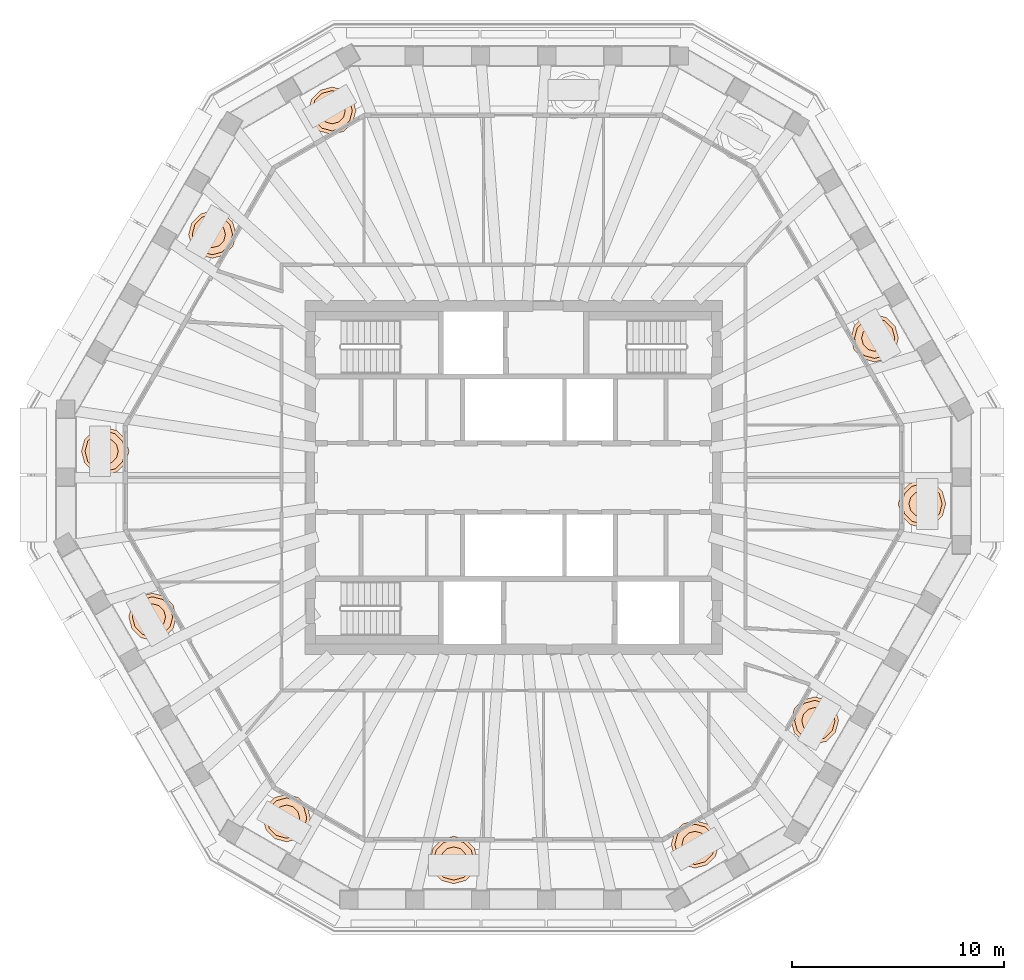
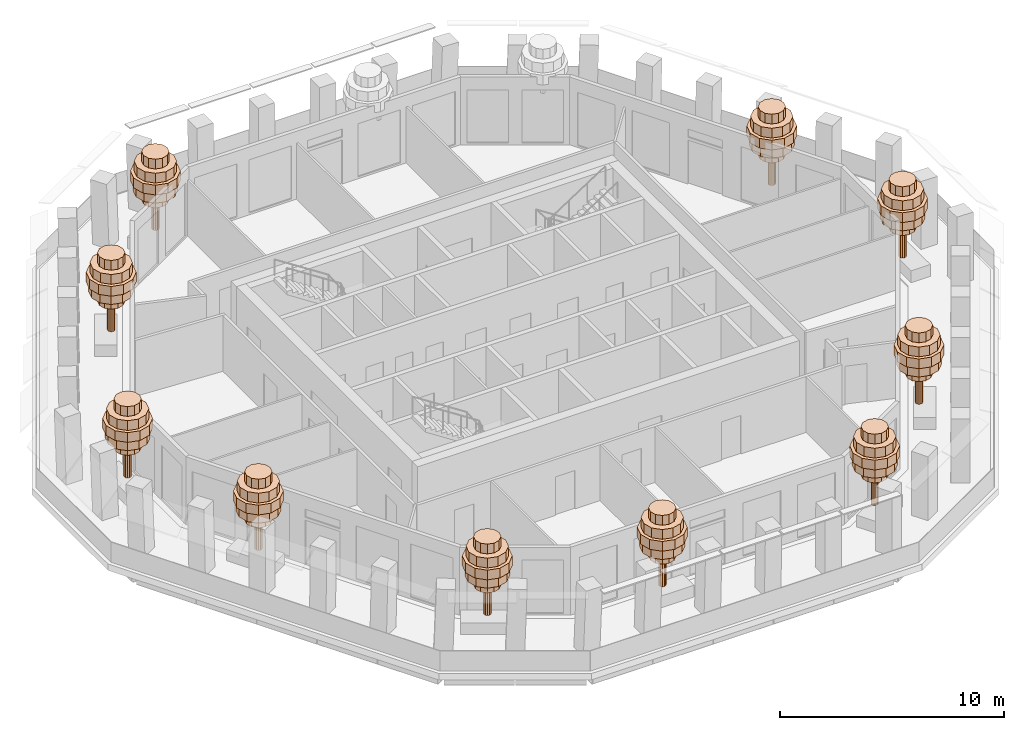
# One storey, part 12 of 13: 10 geographic elements.
"""IFC4 building model written with IfcOpenShell, lengths in metres."""

from ifc_helpers import new_model, si_unit, direction, frame, origin, place, context, subcontext, project, spatial, polyline, outline, extrude, material, type_object, element, save


model = new_model("IFC4")

# Units and contexts
model_context = context("Model", 3, precision=1e-05, world=origin(), true_north=direction((0.0, 1.0)))
body_context = subcontext(model_context, "Body", "Model", "MODEL_VIEW")
ifc_project = project(units=[si_unit("LENGTHUNIT", "METRE"), si_unit("AREAUNIT", "SQUARE_METRE"), si_unit("VOLUMEUNIT", "CUBIC_METRE"), si_unit("PLANEANGLEUNIT", "RADIAN"), si_unit("MASSUNIT", "GRAM", prefix="KILO")], contexts=[model_context])

# Site, building, storey
site_placement = place(None, origin())
site = spatial("IfcSite", under=ifc_project, at=site_placement, CompositionType="ELEMENT")
building_placement = place(site_placement, origin())
building = spatial("IfcBuilding", under=site, at=building_placement, Name="Frailejon Research Tower", CompositionType="ELEMENT")
storey_placement = place(building_placement, frame((0.0, 0.0, 308.60009765625)))
storey = spatial("IfcBuildingStorey", under=building, at=storey_placement, Name="L68", CompositionType="ELEMENT", Elevation=308.60009765625)

# Geographic elements
ifc_material = material(Name="Foliage, green")
geographic_element_type = type_object("IfcGeographicElementType", Name="Frailejon tree, terrace", PredefinedType="USERDEFINED", material=ifc_material)
geographic_element_1_placement = place(storey_placement, frame((19.277587890625, -1.2412109375, 0.699951171875)))
element("IfcGeographicElement", 1, at=geographic_element_1_placement, inside=storey, type_object=geographic_element_type, Name="Tree L68", ObjectType="TREE", PredefinedType="USERDEFINED", context=body_context, shape_type="SweptSolid", body=[
    extrude(outline(polyline([(0.177978515625, 0.0), (0.154052734375, 0.089111328125), (0.089111328125, 0.154052734375), (0.0, 0.177978515625), (-0.089111328125, 0.154052734375), (-0.154052734375, 0.089111328125), (-0.177978515625, 0.0), (-0.154052734375, -0.089111328125), (-0.089111328125, -0.154052734375), (0.0, -0.177978515625), (0.089111328125, -0.154052734375), (0.154052734375, -0.089111328125), (0.177978515625, 0.0)])), origin(), (0.0, 0.0, 1.0), 3.135986328125),
    extrude(outline(polyline([(0.615966796875, 0.0), (0.533447265625, 0.30810546875), (0.30810546875, 0.533447265625), (0.0, 0.615966796875), (-0.30810546875, 0.533447265625), (-0.533447265625, 0.30810546875), (-0.615966796875, 0.0), (-0.533447265625, -0.30810546875), (-0.30810546875, -0.533447265625), (0.0, -0.615966796875), (0.30810546875, -0.533447265625), (0.533447265625, -0.30810546875), (0.615966796875, 0.0)])), frame((0.0, 0.0, 1.5400390625)), (0.0, 0.0, 1.0), 0.531982421875),
    extrude(outline(polyline([(1.008056640625, 0.0), (0.873046875, 0.50390625), (0.50390625, 0.873046875), (0.0, 1.008056640625), (-0.50390625, 0.873046875), (-0.873046875, 0.50390625), (-1.008056640625, 0.0), (-0.873046875, -0.50390625), (-0.50390625, -0.873046875), (0.0, -1.008056640625), (0.50390625, -0.873046875), (0.873046875, -0.50390625), (1.008056640625, 0.0)])), frame((0.0, 0.0, 2.072021484375)), (0.0, 0.0, 1.0), 0.531982421875),
    extrude(outline(polyline([(1.1201171875, 0.0), (0.969970703125, 0.56005859375), (0.56005859375, 0.969970703125), (0.0, 1.1201171875), (-0.56005859375, 0.969970703125), (-0.969970703125, 0.56005859375), (-1.1201171875, 0.0), (-0.969970703125, -0.56005859375), (-0.56005859375, -0.969970703125), (0.0, -1.1201171875), (0.56005859375, -0.969970703125), (0.969970703125, -0.56005859375), (1.1201171875, 0.0)])), frame((0.0, 0.0, 2.60400390625)), (0.0, 0.0, 1.0), 0.531982421875),
    extrude(outline(polyline([(0.951904296875, 0.0), (0.824462890625, 0.47607421875), (0.47607421875, 0.824462890625), (0.0, 0.951904296875), (-0.47607421875, 0.824462890625), (-0.824462890625, 0.47607421875), (-0.951904296875, 0.0), (-0.824462890625, -0.47607421875), (-0.47607421875, -0.824462890625), (0.0, -0.951904296875), (0.47607421875, -0.824462890625), (0.824462890625, -0.47607421875), (0.951904296875, 0.0)])), frame((0.0, 0.0, 3.135986328125)), (0.0, 0.0, 1.0), 0.531982421875),
    extrude(outline(polyline([(0.615966796875, 0.0), (0.533447265625, 0.30810546875), (0.30810546875, 0.533447265625), (0.0, 0.615966796875), (-0.30810546875, 0.533447265625), (-0.533447265625, 0.30810546875), (-0.615966796875, 0.0), (-0.533447265625, -0.30810546875), (-0.30810546875, -0.533447265625), (0.0, -0.615966796875), (0.30810546875, -0.533447265625), (0.533447265625, -0.30810546875), (0.615966796875, 0.0)])), frame((0.0, 0.0, 3.66796875)), (0.0, 0.0, 1.0), 0.531982421875),
])
geographic_element_2_placement = place(storey_placement, frame((17.04443359375, 6.577880859375, 0.699951171875)))
element("IfcGeographicElement", 2, at=geographic_element_2_placement, inside=storey, type_object=geographic_element_type, Name="Tree L68", ObjectType="TREE", PredefinedType="USERDEFINED", context=body_context, shape_type="SweptSolid", body=[
    extrude(outline(polyline([(0.177978515625, 0.0), (0.154052734375, 0.089111328125), (0.089111328125, 0.154052734375), (0.0, 0.177978515625), (-0.089111328125, 0.154052734375), (-0.154052734375, 0.089111328125), (-0.177978515625, 0.0), (-0.154052734375, -0.089111328125), (-0.089111328125, -0.154052734375), (0.0, -0.177978515625), (0.089111328125, -0.154052734375), (0.154052734375, -0.089111328125), (0.177978515625, 0.0)])), origin(), (0.0, 0.0, 1.0), 3.135986328125),
    extrude(outline(polyline([(0.615966796875, 0.0), (0.533447265625, 0.30810546875), (0.30810546875, 0.533447265625), (0.0, 0.615966796875), (-0.30810546875, 0.533447265625), (-0.533447265625, 0.30810546875), (-0.615966796875, 0.0), (-0.533447265625, -0.30810546875), (-0.30810546875, -0.533447265625), (0.0, -0.615966796875), (0.30810546875, -0.533447265625), (0.533447265625, -0.30810546875), (0.615966796875, 0.0)])), frame((0.0, 0.0, 1.5400390625)), (0.0, 0.0, 1.0), 0.531982421875),
    extrude(outline(polyline([(1.008056640625, 0.0), (0.873046875, 0.50390625), (0.50390625, 0.873046875), (0.0, 1.008056640625), (-0.50390625, 0.873046875), (-0.873046875, 0.50390625), (-1.008056640625, 0.0), (-0.873046875, -0.50390625), (-0.50390625, -0.873046875), (0.0, -1.008056640625), (0.50390625, -0.873046875), (0.873046875, -0.50390625), (1.008056640625, 0.0)])), frame((0.0, 0.0, 2.072021484375)), (0.0, 0.0, 1.0), 0.531982421875),
    extrude(outline(polyline([(1.1201171875, 0.0), (0.969970703125, 0.56005859375), (0.56005859375, 0.969970703125), (0.0, 1.1201171875), (-0.56005859375, 0.969970703125), (-0.969970703125, 0.56005859375), (-1.1201171875, 0.0), (-0.969970703125, -0.56005859375), (-0.56005859375, -0.969970703125), (0.0, -1.1201171875), (0.56005859375, -0.969970703125), (0.969970703125, -0.56005859375), (1.1201171875, 0.0)])), frame((0.0, 0.0, 2.60400390625)), (0.0, 0.0, 1.0), 0.531982421875),
    extrude(outline(polyline([(0.951904296875, 0.0), (0.824462890625, 0.47607421875), (0.47607421875, 0.824462890625), (0.0, 0.951904296875), (-0.47607421875, 0.824462890625), (-0.824462890625, 0.47607421875), (-0.951904296875, 0.0), (-0.824462890625, -0.47607421875), (-0.47607421875, -0.824462890625), (0.0, -0.951904296875), (0.47607421875, -0.824462890625), (0.824462890625, -0.47607421875), (0.951904296875, 0.0)])), frame((0.0, 0.0, 3.135986328125)), (0.0, 0.0, 1.0), 0.531982421875),
    extrude(outline(polyline([(0.615966796875, 0.0), (0.533447265625, 0.30810546875), (0.30810546875, 0.533447265625), (0.0, 0.615966796875), (-0.30810546875, 0.533447265625), (-0.533447265625, 0.30810546875), (-0.615966796875, 0.0), (-0.533447265625, -0.30810546875), (-0.30810546875, -0.533447265625), (0.0, -0.615966796875), (0.30810546875, -0.533447265625), (0.533447265625, -0.30810546875), (0.615966796875, 0.0)])), frame((0.0, 0.0, 3.66796875)), (0.0, 0.0, 1.0), 0.531982421875),
])
geographic_element_3_placement = place(storey_placement, frame((-8.563720703125, 17.3154296875, 0.699951171875)))
element("IfcGeographicElement", 3, at=geographic_element_3_placement, inside=storey, type_object=geographic_element_type, Name="Tree L68", ObjectType="TREE", PredefinedType="USERDEFINED", context=body_context, shape_type="SweptSolid", body=[
    extrude(outline(polyline([(0.177978515625, 0.0), (0.154052734375, 0.089111328125), (0.089111328125, 0.154052734375), (0.0, 0.177978515625), (-0.089111328125, 0.154052734375), (-0.154052734375, 0.089111328125), (-0.177978515625, 0.0), (-0.154052734375, -0.089111328125), (-0.089111328125, -0.154052734375), (0.0, -0.177978515625), (0.089111328125, -0.154052734375), (0.154052734375, -0.089111328125), (0.177978515625, 0.0)])), origin(), (0.0, 0.0, 1.0), 3.135986328125),
    extrude(outline(polyline([(0.615966796875, 0.0), (0.533447265625, 0.30810546875), (0.30810546875, 0.533447265625), (0.0, 0.615966796875), (-0.30810546875, 0.533447265625), (-0.533447265625, 0.30810546875), (-0.615966796875, 0.0), (-0.533447265625, -0.30810546875), (-0.30810546875, -0.533447265625), (0.0, -0.615966796875), (0.30810546875, -0.533447265625), (0.533447265625, -0.30810546875), (0.615966796875, 0.0)])), frame((0.0, 0.0, 1.5400390625)), (0.0, 0.0, 1.0), 0.531982421875),
    extrude(outline(polyline([(1.008056640625, 0.0), (0.873046875, 0.50390625), (0.50390625, 0.873046875), (0.0, 1.008056640625), (-0.50390625, 0.873046875), (-0.873046875, 0.50390625), (-1.008056640625, 0.0), (-0.873046875, -0.50390625), (-0.50390625, -0.873046875), (0.0, -1.008056640625), (0.50390625, -0.873046875), (0.873046875, -0.50390625), (1.008056640625, 0.0)])), frame((0.0, 0.0, 2.072021484375)), (0.0, 0.0, 1.0), 0.531982421875),
    extrude(outline(polyline([(1.1201171875, 0.0), (0.969970703125, 0.56005859375), (0.56005859375, 0.969970703125), (0.0, 1.1201171875), (-0.56005859375, 0.969970703125), (-0.969970703125, 0.56005859375), (-1.1201171875, 0.0), (-0.969970703125, -0.56005859375), (-0.56005859375, -0.969970703125), (0.0, -1.1201171875), (0.56005859375, -0.969970703125), (0.969970703125, -0.56005859375), (1.1201171875, 0.0)])), frame((0.0, 0.0, 2.60400390625)), (0.0, 0.0, 1.0), 0.531982421875),
    extrude(outline(polyline([(0.951904296875, 0.0), (0.824462890625, 0.47607421875), (0.47607421875, 0.824462890625), (0.0, 0.951904296875), (-0.47607421875, 0.824462890625), (-0.824462890625, 0.47607421875), (-0.951904296875, 0.0), (-0.824462890625, -0.47607421875), (-0.47607421875, -0.824462890625), (0.0, -0.951904296875), (0.47607421875, -0.824462890625), (0.824462890625, -0.47607421875), (0.951904296875, 0.0)])), frame((0.0, 0.0, 3.135986328125)), (0.0, 0.0, 1.0), 0.531982421875),
    extrude(outline(polyline([(0.615966796875, 0.0), (0.533447265625, 0.30810546875), (0.30810546875, 0.533447265625), (0.0, 0.615966796875), (-0.30810546875, 0.533447265625), (-0.533447265625, 0.30810546875), (-0.615966796875, 0.0), (-0.533447265625, -0.30810546875), (-0.30810546875, -0.533447265625), (0.0, -0.615966796875), (0.30810546875, -0.533447265625), (0.533447265625, -0.30810546875), (0.615966796875, 0.0)])), frame((0.0, 0.0, 3.66796875)), (0.0, 0.0, 1.0), 0.531982421875),
])
geographic_element_4_placement = place(storey_placement, frame((-14.218994140625, 11.471923828125, 0.699951171875)))
element("IfcGeographicElement", 4, at=geographic_element_4_placement, inside=storey, type_object=geographic_element_type, Name="Tree L68", ObjectType="TREE", PredefinedType="USERDEFINED", context=body_context, shape_type="SweptSolid", body=[
    extrude(outline(polyline([(0.177978515625, 0.0), (0.154052734375, 0.089111328125), (0.089111328125, 0.154052734375), (0.0, 0.177978515625), (-0.089111328125, 0.154052734375), (-0.154052734375, 0.089111328125), (-0.177978515625, 0.0), (-0.154052734375, -0.089111328125), (-0.089111328125, -0.154052734375), (0.0, -0.177978515625), (0.089111328125, -0.154052734375), (0.154052734375, -0.089111328125), (0.177978515625, 0.0)])), origin(), (0.0, 0.0, 1.0), 3.135986328125),
    extrude(outline(polyline([(0.615966796875, 0.0), (0.533447265625, 0.30810546875), (0.30810546875, 0.533447265625), (0.0, 0.615966796875), (-0.30810546875, 0.533447265625), (-0.533447265625, 0.30810546875), (-0.615966796875, 0.0), (-0.533447265625, -0.30810546875), (-0.30810546875, -0.533447265625), (0.0, -0.615966796875), (0.30810546875, -0.533447265625), (0.533447265625, -0.30810546875), (0.615966796875, 0.0)])), frame((0.0, 0.0, 1.5400390625)), (0.0, 0.0, 1.0), 0.531982421875),
    extrude(outline(polyline([(1.008056640625, 0.0), (0.873046875, 0.50390625), (0.50390625, 0.873046875), (0.0, 1.008056640625), (-0.50390625, 0.873046875), (-0.873046875, 0.50390625), (-1.008056640625, 0.0), (-0.873046875, -0.50390625), (-0.50390625, -0.873046875), (0.0, -1.008056640625), (0.50390625, -0.873046875), (0.873046875, -0.50390625), (1.008056640625, 0.0)])), frame((0.0, 0.0, 2.072021484375)), (0.0, 0.0, 1.0), 0.531982421875),
    extrude(outline(polyline([(1.1201171875, 0.0), (0.969970703125, 0.56005859375), (0.56005859375, 0.969970703125), (0.0, 1.1201171875), (-0.56005859375, 0.969970703125), (-0.969970703125, 0.56005859375), (-1.1201171875, 0.0), (-0.969970703125, -0.56005859375), (-0.56005859375, -0.969970703125), (0.0, -1.1201171875), (0.56005859375, -0.969970703125), (0.969970703125, -0.56005859375), (1.1201171875, 0.0)])), frame((0.0, 0.0, 2.60400390625)), (0.0, 0.0, 1.0), 0.531982421875),
    extrude(outline(polyline([(0.951904296875, 0.0), (0.824462890625, 0.47607421875), (0.47607421875, 0.824462890625), (0.0, 0.951904296875), (-0.47607421875, 0.824462890625), (-0.824462890625, 0.47607421875), (-0.951904296875, 0.0), (-0.824462890625, -0.47607421875), (-0.47607421875, -0.824462890625), (0.0, -0.951904296875), (0.47607421875, -0.824462890625), (0.824462890625, -0.47607421875), (0.951904296875, 0.0)])), frame((0.0, 0.0, 3.135986328125)), (0.0, 0.0, 1.0), 0.531982421875),
    extrude(outline(polyline([(0.615966796875, 0.0), (0.533447265625, 0.30810546875), (0.30810546875, 0.533447265625), (0.0, 0.615966796875), (-0.30810546875, 0.533447265625), (-0.533447265625, 0.30810546875), (-0.615966796875, 0.0), (-0.533447265625, -0.30810546875), (-0.30810546875, -0.533447265625), (0.0, -0.615966796875), (0.30810546875, -0.533447265625), (0.533447265625, -0.30810546875), (0.615966796875, 0.0)])), frame((0.0, 0.0, 3.66796875)), (0.0, 0.0, 1.0), 0.531982421875),
])
geographic_element_5_placement = place(storey_placement, frame((-19.277587890625, 1.2412109375, 0.699951171875)))
element("IfcGeographicElement", 5, at=geographic_element_5_placement, inside=storey, type_object=geographic_element_type, Name="Tree L68", ObjectType="TREE", PredefinedType="USERDEFINED", context=body_context, shape_type="SweptSolid", body=[
    extrude(outline(polyline([(0.177978515625, 0.0), (0.154052734375, 0.089111328125), (0.089111328125, 0.154052734375), (0.0, 0.177978515625), (-0.089111328125, 0.154052734375), (-0.154052734375, 0.089111328125), (-0.177978515625, 0.0), (-0.154052734375, -0.089111328125), (-0.089111328125, -0.154052734375), (0.0, -0.177978515625), (0.089111328125, -0.154052734375), (0.154052734375, -0.089111328125), (0.177978515625, 0.0)])), origin(), (0.0, 0.0, 1.0), 3.135986328125),
    extrude(outline(polyline([(0.615966796875, 0.0), (0.533447265625, 0.30810546875), (0.30810546875, 0.533447265625), (0.0, 0.615966796875), (-0.30810546875, 0.533447265625), (-0.533447265625, 0.30810546875), (-0.615966796875, 0.0), (-0.533447265625, -0.30810546875), (-0.30810546875, -0.533447265625), (0.0, -0.615966796875), (0.30810546875, -0.533447265625), (0.533447265625, -0.30810546875), (0.615966796875, 0.0)])), frame((0.0, 0.0, 1.5400390625)), (0.0, 0.0, 1.0), 0.531982421875),
    extrude(outline(polyline([(1.008056640625, 0.0), (0.873046875, 0.50390625), (0.50390625, 0.873046875), (0.0, 1.008056640625), (-0.50390625, 0.873046875), (-0.873046875, 0.50390625), (-1.008056640625, 0.0), (-0.873046875, -0.50390625), (-0.50390625, -0.873046875), (0.0, -1.008056640625), (0.50390625, -0.873046875), (0.873046875, -0.50390625), (1.008056640625, 0.0)])), frame((0.0, 0.0, 2.072021484375)), (0.0, 0.0, 1.0), 0.531982421875),
    extrude(outline(polyline([(1.1201171875, 0.0), (0.969970703125, 0.56005859375), (0.56005859375, 0.969970703125), (0.0, 1.1201171875), (-0.56005859375, 0.969970703125), (-0.969970703125, 0.56005859375), (-1.1201171875, 0.0), (-0.969970703125, -0.56005859375), (-0.56005859375, -0.969970703125), (0.0, -1.1201171875), (0.56005859375, -0.969970703125), (0.969970703125, -0.56005859375), (1.1201171875, 0.0)])), frame((0.0, 0.0, 2.60400390625)), (0.0, 0.0, 1.0), 0.531982421875),
    extrude(outline(polyline([(0.951904296875, 0.0), (0.824462890625, 0.47607421875), (0.47607421875, 0.824462890625), (0.0, 0.951904296875), (-0.47607421875, 0.824462890625), (-0.824462890625, 0.47607421875), (-0.951904296875, 0.0), (-0.824462890625, -0.47607421875), (-0.47607421875, -0.824462890625), (0.0, -0.951904296875), (0.47607421875, -0.824462890625), (0.824462890625, -0.47607421875), (0.951904296875, 0.0)])), frame((0.0, 0.0, 3.135986328125)), (0.0, 0.0, 1.0), 0.531982421875),
    extrude(outline(polyline([(0.615966796875, 0.0), (0.533447265625, 0.30810546875), (0.30810546875, 0.533447265625), (0.0, 0.615966796875), (-0.30810546875, 0.533447265625), (-0.533447265625, 0.30810546875), (-0.615966796875, 0.0), (-0.533447265625, -0.30810546875), (-0.30810546875, -0.533447265625), (0.0, -0.615966796875), (0.30810546875, -0.533447265625), (0.533447265625, -0.30810546875), (0.615966796875, 0.0)])), frame((0.0, 0.0, 3.66796875)), (0.0, 0.0, 1.0), 0.531982421875),
])
geographic_element_6_placement = place(storey_placement, frame((-17.04443359375, -6.577880859375, 0.699951171875)))
element("IfcGeographicElement", 6, at=geographic_element_6_placement, inside=storey, type_object=geographic_element_type, Name="Tree L68", ObjectType="TREE", PredefinedType="USERDEFINED", context=body_context, shape_type="SweptSolid", body=[
    extrude(outline(polyline([(0.177978515625, 0.0), (0.154052734375, 0.089111328125), (0.089111328125, 0.154052734375), (0.0, 0.177978515625), (-0.089111328125, 0.154052734375), (-0.154052734375, 0.089111328125), (-0.177978515625, 0.0), (-0.154052734375, -0.089111328125), (-0.089111328125, -0.154052734375), (0.0, -0.177978515625), (0.089111328125, -0.154052734375), (0.154052734375, -0.089111328125), (0.177978515625, 0.0)])), origin(), (0.0, 0.0, 1.0), 3.135986328125),
    extrude(outline(polyline([(0.615966796875, 0.0), (0.533447265625, 0.30810546875), (0.30810546875, 0.533447265625), (0.0, 0.615966796875), (-0.30810546875, 0.533447265625), (-0.533447265625, 0.30810546875), (-0.615966796875, 0.0), (-0.533447265625, -0.30810546875), (-0.30810546875, -0.533447265625), (0.0, -0.615966796875), (0.30810546875, -0.533447265625), (0.533447265625, -0.30810546875), (0.615966796875, 0.0)])), frame((0.0, 0.0, 1.5400390625)), (0.0, 0.0, 1.0), 0.531982421875),
    extrude(outline(polyline([(1.008056640625, 0.0), (0.873046875, 0.50390625), (0.50390625, 0.873046875), (0.0, 1.008056640625), (-0.50390625, 0.873046875), (-0.873046875, 0.50390625), (-1.008056640625, 0.0), (-0.873046875, -0.50390625), (-0.50390625, -0.873046875), (0.0, -1.008056640625), (0.50390625, -0.873046875), (0.873046875, -0.50390625), (1.008056640625, 0.0)])), frame((0.0, 0.0, 2.072021484375)), (0.0, 0.0, 1.0), 0.531982421875),
    extrude(outline(polyline([(1.1201171875, 0.0), (0.969970703125, 0.56005859375), (0.56005859375, 0.969970703125), (0.0, 1.1201171875), (-0.56005859375, 0.969970703125), (-0.969970703125, 0.56005859375), (-1.1201171875, 0.0), (-0.969970703125, -0.56005859375), (-0.56005859375, -0.969970703125), (0.0, -1.1201171875), (0.56005859375, -0.969970703125), (0.969970703125, -0.56005859375), (1.1201171875, 0.0)])), frame((0.0, 0.0, 2.60400390625)), (0.0, 0.0, 1.0), 0.531982421875),
    extrude(outline(polyline([(0.951904296875, 0.0), (0.824462890625, 0.47607421875), (0.47607421875, 0.824462890625), (0.0, 0.951904296875), (-0.47607421875, 0.824462890625), (-0.824462890625, 0.47607421875), (-0.951904296875, 0.0), (-0.824462890625, -0.47607421875), (-0.47607421875, -0.824462890625), (0.0, -0.951904296875), (0.47607421875, -0.824462890625), (0.824462890625, -0.47607421875), (0.951904296875, 0.0)])), frame((0.0, 0.0, 3.135986328125)), (0.0, 0.0, 1.0), 0.531982421875),
    extrude(outline(polyline([(0.615966796875, 0.0), (0.533447265625, 0.30810546875), (0.30810546875, 0.533447265625), (0.0, 0.615966796875), (-0.30810546875, 0.533447265625), (-0.533447265625, 0.30810546875), (-0.615966796875, 0.0), (-0.533447265625, -0.30810546875), (-0.30810546875, -0.533447265625), (0.0, -0.615966796875), (0.30810546875, -0.533447265625), (0.533447265625, -0.30810546875), (0.615966796875, 0.0)])), frame((0.0, 0.0, 3.66796875)), (0.0, 0.0, 1.0), 0.531982421875),
])
geographic_element_7_placement = place(storey_placement, frame((-10.7138671875, -16.07421875, 0.699951171875)))
element("IfcGeographicElement", 7, at=geographic_element_7_placement, inside=storey, type_object=geographic_element_type, Name="Tree L68", ObjectType="TREE", PredefinedType="USERDEFINED", context=body_context, shape_type="SweptSolid", body=[
    extrude(outline(polyline([(0.177978515625, 0.0), (0.154052734375, 0.089111328125), (0.089111328125, 0.154052734375), (0.0, 0.177978515625), (-0.089111328125, 0.154052734375), (-0.154052734375, 0.089111328125), (-0.177978515625, 0.0), (-0.154052734375, -0.089111328125), (-0.089111328125, -0.154052734375), (0.0, -0.177978515625), (0.089111328125, -0.154052734375), (0.154052734375, -0.089111328125), (0.177978515625, 0.0)])), origin(), (0.0, 0.0, 1.0), 3.135986328125),
    extrude(outline(polyline([(0.615966796875, 0.0), (0.533447265625, 0.30810546875), (0.30810546875, 0.533447265625), (0.0, 0.615966796875), (-0.30810546875, 0.533447265625), (-0.533447265625, 0.30810546875), (-0.615966796875, 0.0), (-0.533447265625, -0.30810546875), (-0.30810546875, -0.533447265625), (0.0, -0.615966796875), (0.30810546875, -0.533447265625), (0.533447265625, -0.30810546875), (0.615966796875, 0.0)])), frame((0.0, 0.0, 1.5400390625)), (0.0, 0.0, 1.0), 0.531982421875),
    extrude(outline(polyline([(1.008056640625, 0.0), (0.873046875, 0.50390625), (0.50390625, 0.873046875), (0.0, 1.008056640625), (-0.50390625, 0.873046875), (-0.873046875, 0.50390625), (-1.008056640625, 0.0), (-0.873046875, -0.50390625), (-0.50390625, -0.873046875), (0.0, -1.008056640625), (0.50390625, -0.873046875), (0.873046875, -0.50390625), (1.008056640625, 0.0)])), frame((0.0, 0.0, 2.072021484375)), (0.0, 0.0, 1.0), 0.531982421875),
    extrude(outline(polyline([(1.1201171875, 0.0), (0.969970703125, 0.56005859375), (0.56005859375, 0.969970703125), (0.0, 1.1201171875), (-0.56005859375, 0.969970703125), (-0.969970703125, 0.56005859375), (-1.1201171875, 0.0), (-0.969970703125, -0.56005859375), (-0.56005859375, -0.969970703125), (0.0, -1.1201171875), (0.56005859375, -0.969970703125), (0.969970703125, -0.56005859375), (1.1201171875, 0.0)])), frame((0.0, 0.0, 2.60400390625)), (0.0, 0.0, 1.0), 0.531982421875),
    extrude(outline(polyline([(0.951904296875, 0.0), (0.824462890625, 0.47607421875), (0.47607421875, 0.824462890625), (0.0, 0.951904296875), (-0.47607421875, 0.824462890625), (-0.824462890625, 0.47607421875), (-0.951904296875, 0.0), (-0.824462890625, -0.47607421875), (-0.47607421875, -0.824462890625), (0.0, -0.951904296875), (0.47607421875, -0.824462890625), (0.824462890625, -0.47607421875), (0.951904296875, 0.0)])), frame((0.0, 0.0, 3.135986328125)), (0.0, 0.0, 1.0), 0.531982421875),
    extrude(outline(polyline([(0.615966796875, 0.0), (0.533447265625, 0.30810546875), (0.30810546875, 0.533447265625), (0.0, 0.615966796875), (-0.30810546875, 0.533447265625), (-0.533447265625, 0.30810546875), (-0.615966796875, 0.0), (-0.533447265625, -0.30810546875), (-0.30810546875, -0.533447265625), (0.0, -0.615966796875), (0.30810546875, -0.533447265625), (0.533447265625, -0.30810546875), (0.615966796875, 0.0)])), frame((0.0, 0.0, 3.66796875)), (0.0, 0.0, 1.0), 0.531982421875),
])
geographic_element_8_placement = place(storey_placement, frame((-2.825439453125, -18.050048828125, 0.699951171875)))
element("IfcGeographicElement", 8, at=geographic_element_8_placement, inside=storey, type_object=geographic_element_type, Name="Tree L68", ObjectType="TREE", PredefinedType="USERDEFINED", context=body_context, shape_type="SweptSolid", body=[
    extrude(outline(polyline([(0.177978515625, 0.0), (0.154052734375, 0.089111328125), (0.089111328125, 0.154052734375), (0.0, 0.177978515625), (-0.089111328125, 0.154052734375), (-0.154052734375, 0.089111328125), (-0.177978515625, 0.0), (-0.154052734375, -0.089111328125), (-0.089111328125, -0.154052734375), (0.0, -0.177978515625), (0.089111328125, -0.154052734375), (0.154052734375, -0.089111328125), (0.177978515625, 0.0)])), origin(), (0.0, 0.0, 1.0), 3.135986328125),
    extrude(outline(polyline([(0.615966796875, 0.0), (0.533447265625, 0.30810546875), (0.30810546875, 0.533447265625), (0.0, 0.615966796875), (-0.30810546875, 0.533447265625), (-0.533447265625, 0.30810546875), (-0.615966796875, 0.0), (-0.533447265625, -0.30810546875), (-0.30810546875, -0.533447265625), (0.0, -0.615966796875), (0.30810546875, -0.533447265625), (0.533447265625, -0.30810546875), (0.615966796875, 0.0)])), frame((0.0, 0.0, 1.5400390625)), (0.0, 0.0, 1.0), 0.531982421875),
    extrude(outline(polyline([(1.008056640625, 0.0), (0.873046875, 0.50390625), (0.50390625, 0.873046875), (0.0, 1.008056640625), (-0.50390625, 0.873046875), (-0.873046875, 0.50390625), (-1.008056640625, 0.0), (-0.873046875, -0.50390625), (-0.50390625, -0.873046875), (0.0, -1.008056640625), (0.50390625, -0.873046875), (0.873046875, -0.50390625), (1.008056640625, 0.0)])), frame((0.0, 0.0, 2.072021484375)), (0.0, 0.0, 1.0), 0.531982421875),
    extrude(outline(polyline([(1.1201171875, 0.0), (0.969970703125, 0.56005859375), (0.56005859375, 0.969970703125), (0.0, 1.1201171875), (-0.56005859375, 0.969970703125), (-0.969970703125, 0.56005859375), (-1.1201171875, 0.0), (-0.969970703125, -0.56005859375), (-0.56005859375, -0.969970703125), (0.0, -1.1201171875), (0.56005859375, -0.969970703125), (0.969970703125, -0.56005859375), (1.1201171875, 0.0)])), frame((0.0, 0.0, 2.60400390625)), (0.0, 0.0, 1.0), 0.531982421875),
    extrude(outline(polyline([(0.951904296875, 0.0), (0.824462890625, 0.47607421875), (0.47607421875, 0.824462890625), (0.0, 0.951904296875), (-0.47607421875, 0.824462890625), (-0.824462890625, 0.47607421875), (-0.951904296875, 0.0), (-0.824462890625, -0.47607421875), (-0.47607421875, -0.824462890625), (0.0, -0.951904296875), (0.47607421875, -0.824462890625), (0.824462890625, -0.47607421875), (0.951904296875, 0.0)])), frame((0.0, 0.0, 3.135986328125)), (0.0, 0.0, 1.0), 0.531982421875),
    extrude(outline(polyline([(0.615966796875, 0.0), (0.533447265625, 0.30810546875), (0.30810546875, 0.533447265625), (0.0, 0.615966796875), (-0.30810546875, 0.533447265625), (-0.533447265625, 0.30810546875), (-0.615966796875, 0.0), (-0.533447265625, -0.30810546875), (-0.30810546875, -0.533447265625), (0.0, -0.615966796875), (0.30810546875, -0.533447265625), (0.533447265625, -0.30810546875), (0.615966796875, 0.0)])), frame((0.0, 0.0, 3.66796875)), (0.0, 0.0, 1.0), 0.531982421875),
])
geographic_element_9_placement = place(storey_placement, frame((8.563720703125, -17.3154296875, 0.699951171875)))
element("IfcGeographicElement", 9, at=geographic_element_9_placement, inside=storey, type_object=geographic_element_type, Name="Tree L68", ObjectType="TREE", PredefinedType="USERDEFINED", context=body_context, shape_type="SweptSolid", body=[
    extrude(outline(polyline([(0.177978515625, 0.0), (0.154052734375, 0.089111328125), (0.089111328125, 0.154052734375), (0.0, 0.177978515625), (-0.089111328125, 0.154052734375), (-0.154052734375, 0.089111328125), (-0.177978515625, 0.0), (-0.154052734375, -0.089111328125), (-0.089111328125, -0.154052734375), (0.0, -0.177978515625), (0.089111328125, -0.154052734375), (0.154052734375, -0.089111328125), (0.177978515625, 0.0)])), origin(), (0.0, 0.0, 1.0), 3.135986328125),
    extrude(outline(polyline([(0.615966796875, 0.0), (0.533447265625, 0.30810546875), (0.30810546875, 0.533447265625), (0.0, 0.615966796875), (-0.30810546875, 0.533447265625), (-0.533447265625, 0.30810546875), (-0.615966796875, 0.0), (-0.533447265625, -0.30810546875), (-0.30810546875, -0.533447265625), (0.0, -0.615966796875), (0.30810546875, -0.533447265625), (0.533447265625, -0.30810546875), (0.615966796875, 0.0)])), frame((0.0, 0.0, 1.5400390625)), (0.0, 0.0, 1.0), 0.531982421875),
    extrude(outline(polyline([(1.008056640625, 0.0), (0.873046875, 0.50390625), (0.50390625, 0.873046875), (0.0, 1.008056640625), (-0.50390625, 0.873046875), (-0.873046875, 0.50390625), (-1.008056640625, 0.0), (-0.873046875, -0.50390625), (-0.50390625, -0.873046875), (0.0, -1.008056640625), (0.50390625, -0.873046875), (0.873046875, -0.50390625), (1.008056640625, 0.0)])), frame((0.0, 0.0, 2.072021484375)), (0.0, 0.0, 1.0), 0.531982421875),
    extrude(outline(polyline([(1.1201171875, 0.0), (0.969970703125, 0.56005859375), (0.56005859375, 0.969970703125), (0.0, 1.1201171875), (-0.56005859375, 0.969970703125), (-0.969970703125, 0.56005859375), (-1.1201171875, 0.0), (-0.969970703125, -0.56005859375), (-0.56005859375, -0.969970703125), (0.0, -1.1201171875), (0.56005859375, -0.969970703125), (0.969970703125, -0.56005859375), (1.1201171875, 0.0)])), frame((0.0, 0.0, 2.60400390625)), (0.0, 0.0, 1.0), 0.531982421875),
    extrude(outline(polyline([(0.951904296875, 0.0), (0.824462890625, 0.47607421875), (0.47607421875, 0.824462890625), (0.0, 0.951904296875), (-0.47607421875, 0.824462890625), (-0.824462890625, 0.47607421875), (-0.951904296875, 0.0), (-0.824462890625, -0.47607421875), (-0.47607421875, -0.824462890625), (0.0, -0.951904296875), (0.47607421875, -0.824462890625), (0.824462890625, -0.47607421875), (0.951904296875, 0.0)])), frame((0.0, 0.0, 3.135986328125)), (0.0, 0.0, 1.0), 0.531982421875),
    extrude(outline(polyline([(0.615966796875, 0.0), (0.533447265625, 0.30810546875), (0.30810546875, 0.533447265625), (0.0, 0.615966796875), (-0.30810546875, 0.533447265625), (-0.533447265625, 0.30810546875), (-0.615966796875, 0.0), (-0.533447265625, -0.30810546875), (-0.30810546875, -0.533447265625), (0.0, -0.615966796875), (0.30810546875, -0.533447265625), (0.533447265625, -0.30810546875), (0.615966796875, 0.0)])), frame((0.0, 0.0, 3.66796875)), (0.0, 0.0, 1.0), 0.531982421875),
])
geographic_element_10_placement = place(storey_placement, frame((14.218994140625, -11.471923828125, 0.699951171875)))
element("IfcGeographicElement", 10, at=geographic_element_10_placement, inside=storey, type_object=geographic_element_type, Name="Tree L68", ObjectType="TREE", PredefinedType="USERDEFINED", context=body_context, shape_type="SweptSolid", body=[
    extrude(outline(polyline([(0.177978515625, 0.0), (0.154052734375, 0.089111328125), (0.089111328125, 0.154052734375), (0.0, 0.177978515625), (-0.089111328125, 0.154052734375), (-0.154052734375, 0.089111328125), (-0.177978515625, 0.0), (-0.154052734375, -0.089111328125), (-0.089111328125, -0.154052734375), (0.0, -0.177978515625), (0.089111328125, -0.154052734375), (0.154052734375, -0.089111328125), (0.177978515625, 0.0)])), origin(), (0.0, 0.0, 1.0), 3.135986328125),
    extrude(outline(polyline([(0.615966796875, 0.0), (0.533447265625, 0.30810546875), (0.30810546875, 0.533447265625), (0.0, 0.615966796875), (-0.30810546875, 0.533447265625), (-0.533447265625, 0.30810546875), (-0.615966796875, 0.0), (-0.533447265625, -0.30810546875), (-0.30810546875, -0.533447265625), (0.0, -0.615966796875), (0.30810546875, -0.533447265625), (0.533447265625, -0.30810546875), (0.615966796875, 0.0)])), frame((0.0, 0.0, 1.5400390625)), (0.0, 0.0, 1.0), 0.531982421875),
    extrude(outline(polyline([(1.008056640625, 0.0), (0.873046875, 0.50390625), (0.50390625, 0.873046875), (0.0, 1.008056640625), (-0.50390625, 0.873046875), (-0.873046875, 0.50390625), (-1.008056640625, 0.0), (-0.873046875, -0.50390625), (-0.50390625, -0.873046875), (0.0, -1.008056640625), (0.50390625, -0.873046875), (0.873046875, -0.50390625), (1.008056640625, 0.0)])), frame((0.0, 0.0, 2.072021484375)), (0.0, 0.0, 1.0), 0.531982421875),
    extrude(outline(polyline([(1.1201171875, 0.0), (0.969970703125, 0.56005859375), (0.56005859375, 0.969970703125), (0.0, 1.1201171875), (-0.56005859375, 0.969970703125), (-0.969970703125, 0.56005859375), (-1.1201171875, 0.0), (-0.969970703125, -0.56005859375), (-0.56005859375, -0.969970703125), (0.0, -1.1201171875), (0.56005859375, -0.969970703125), (0.969970703125, -0.56005859375), (1.1201171875, 0.0)])), frame((0.0, 0.0, 2.60400390625)), (0.0, 0.0, 1.0), 0.531982421875),
    extrude(outline(polyline([(0.951904296875, 0.0), (0.824462890625, 0.47607421875), (0.47607421875, 0.824462890625), (0.0, 0.951904296875), (-0.47607421875, 0.824462890625), (-0.824462890625, 0.47607421875), (-0.951904296875, 0.0), (-0.824462890625, -0.47607421875), (-0.47607421875, -0.824462890625), (0.0, -0.951904296875), (0.47607421875, -0.824462890625), (0.824462890625, -0.47607421875), (0.951904296875, 0.0)])), frame((0.0, 0.0, 3.135986328125)), (0.0, 0.0, 1.0), 0.531982421875),
    extrude(outline(polyline([(0.615966796875, 0.0), (0.533447265625, 0.30810546875), (0.30810546875, 0.533447265625), (0.0, 0.615966796875), (-0.30810546875, 0.533447265625), (-0.533447265625, 0.30810546875), (-0.615966796875, 0.0), (-0.533447265625, -0.30810546875), (-0.30810546875, -0.533447265625), (0.0, -0.615966796875), (0.30810546875, -0.533447265625), (0.533447265625, -0.30810546875), (0.615966796875, 0.0)])), frame((0.0, 0.0, 3.66796875)), (0.0, 0.0, 1.0), 0.531982421875),
])

save(model, "model.ifc")
